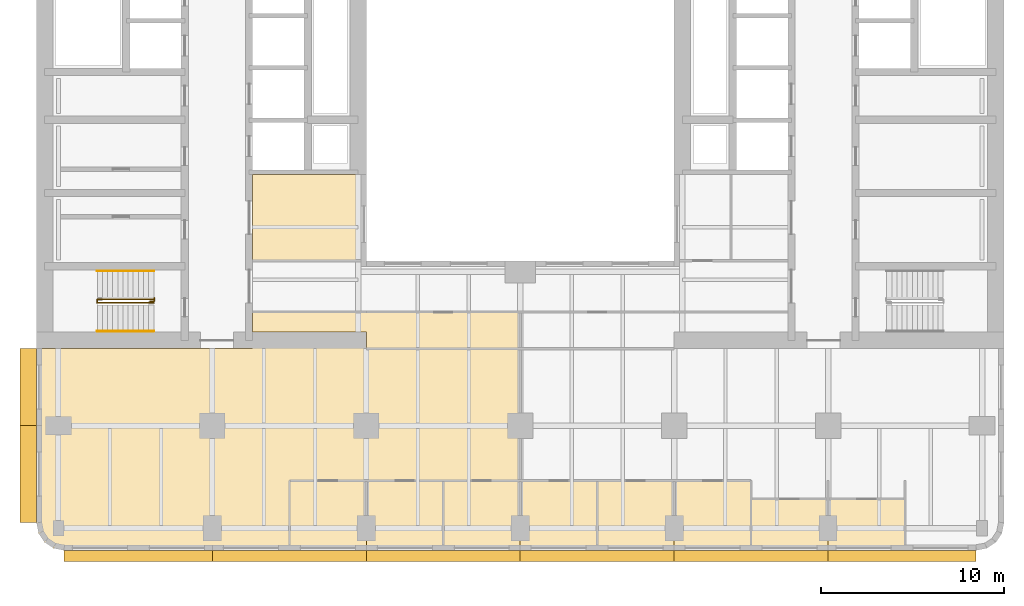
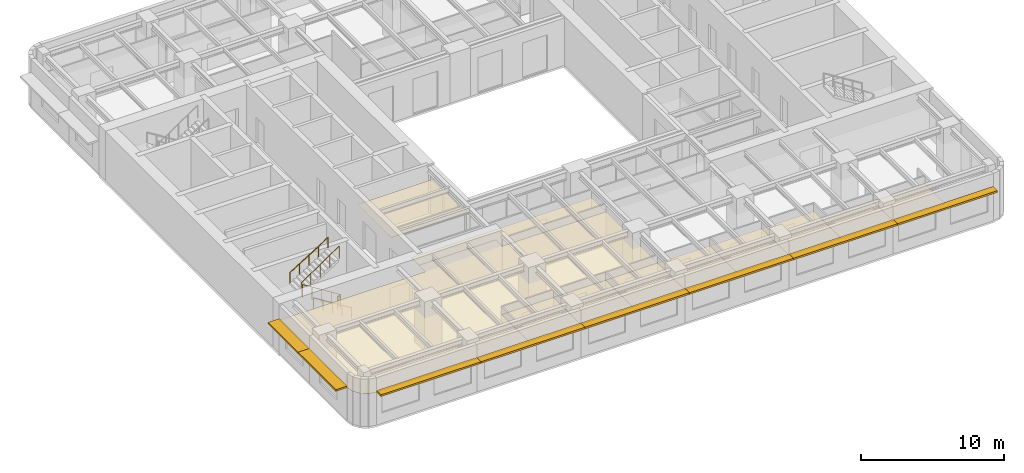
# One storey, part 9 of 11: 11 coverings, 8 shading devices, 4 railings.
"""IFC4 building model written with IfcOpenShell, lengths in metres."""

from ifc_helpers import new_model, si_unit, direction, frame, origin, origin_2d, place, context, subcontext, project, spatial, polyline, rectangle, circle, outline, extrude, material, layer, layer_set, type_object, element, save


model = new_model("IFC4")

# Units and contexts
model_context = context("Model", 3, precision=1e-05, world=origin(), true_north=direction((0.0, 1.0)))
body_context = subcontext(model_context, "Body", "Model", "MODEL_VIEW")
ifc_project = project(units=[si_unit("LENGTHUNIT", "METRE"), si_unit("AREAUNIT", "SQUARE_METRE"), si_unit("VOLUMEUNIT", "CUBIC_METRE"), si_unit("PLANEANGLEUNIT", "RADIAN"), si_unit("MASSUNIT", "GRAM", prefix="KILO")], contexts=[model_context])

# Site, building, storey
site_placement = place(None, origin())
site = spatial("IfcSite", under=ifc_project, at=site_placement, CompositionType="ELEMENT")
building_placement = place(site_placement, origin())
building = spatial("IfcBuilding", under=site, at=building_placement, Name="Claustro Exchange Tower", CompositionType="ELEMENT")
storey_placement = place(building_placement, frame((0.0, 0.0, 138.60009765625)))
storey = spatial("IfcBuildingStorey", under=building, at=storey_placement, Name="L31", CompositionType="ELEMENT", Elevation=138.60009765625)

# Coverings
ifc_material_1 = material(Name="Perforated metal ceiling tiles", Category="steel")
ifc_layer_1 = layer(ifc_material_1, 0.030029296875)
ifc_layer_set_1 = layer_set([ifc_layer_1], Name="Perforated metal ceiling tiles")
covering_type_1 = type_object("IfcCoveringType", Name="CL1 suspended metal ceiling", PredefinedType="CEILING", material=ifc_layer_set_1)
covering_1_placement = place(storey_placement, frame((0.0, 0.0, 2.7998046875)))
element("IfcCovering", 1, at=covering_1_placement, inside=storey, type_object=covering_type_1, Name="Ceiling CL1 L31-09", PredefinedType="CEILING", context=body_context, shape_type="SweptSolid", body=[
    extrude(outline(polyline([(-1.199951171875, 12.60009765625), (-1.199951171875, 3.10009765625), (-1.085693359375, 2.52587890625), (-0.7607421875, 2.039306640625), (-0.27392578125, 1.714111328125), (0.300048828125, 1.60009765625), (12.60009765625, 1.60009765625), (12.60009765625, 5.39990234375), (16.800048828125, 5.39990234375), (21.0, 5.39990234375), (25.199951171875, 5.39990234375), (25.199951171875, 12.60009765625), (16.800048828125, 12.60009765625), (16.800048828125, 13.5), (10.60009765625, 13.5), (10.60009765625, 12.60009765625), (-1.199951171875, 12.60009765625)])), origin(), (0.0, 0.0, 1.0), 0.030029296875),
])
ifc_material_2 = material(Name="Gypsum board ceiling", Category="gypsum board")
ifc_layer_2 = layer(ifc_material_2, 0.02490234375)
ifc_layer_set_2 = layer_set([ifc_layer_2], Name="Gypsum board ceiling")
covering_type_2 = type_object("IfcCoveringType", Name="CL2 plasterboard ceiling", PredefinedType="CEILING", material=ifc_layer_set_2)
covering_2_placement = place(storey_placement, frame((0.0, 0.0, 2.7998046875)))
element("IfcCovering", 2, at=covering_2_placement, inside=storey, type_object=covering_type_2, Name="Ceiling CL2 L31-01", PredefinedType="CEILING", context=body_context, shape_type="SweptSolid", body=[
    extrude(outline(polyline([(37.800048828125, 1.60009765625), (42.0, 1.60009765625), (42.0, 4.39990234375), (37.800048828125, 4.39990234375), (37.800048828125, 1.60009765625)])), origin(), (0.0, 0.0, 1.0), 0.025146484375),
])
covering_3_placement = place(storey_placement, frame((0.0, 0.0, 2.7998046875)))
element("IfcCovering", 3, at=covering_3_placement, inside=storey, type_object=covering_type_2, Name="Ceiling CL2 L31-02", PredefinedType="CEILING", context=body_context, shape_type="SweptSolid", body=[
    extrude(outline(polyline([(42.0, 1.60009765625), (46.199951171875, 1.60009765625), (46.199951171875, 4.39990234375), (42.0, 4.39990234375), (42.0, 1.60009765625)])), origin(), (0.0, 0.0, 1.0), 0.025146484375),
])
covering_4_placement = place(storey_placement, frame((0.0, 0.0, 2.7998046875)))
element("IfcCovering", 4, at=covering_4_placement, inside=storey, type_object=covering_type_2, Name="Ceiling CL2 L31-03", PredefinedType="CEILING", context=body_context, shape_type="SweptSolid", body=[
    extrude(outline(polyline([(12.60009765625, 1.60009765625), (16.800048828125, 1.60009765625), (16.800048828125, 5.39990234375), (12.60009765625, 5.39990234375), (12.60009765625, 1.60009765625)])), origin(), (0.0, 0.0, 1.0), 0.025146484375),
])
covering_5_placement = place(storey_placement, frame((0.0, 0.0, 2.7998046875)))
element("IfcCovering", 5, at=covering_5_placement, inside=storey, type_object=covering_type_2, Name="Ceiling CL2 L31-04", PredefinedType="CEILING", context=body_context, shape_type="SweptSolid", body=[
    extrude(outline(polyline([(16.800048828125, 1.60009765625), (21.0, 1.60009765625), (21.0, 5.39990234375), (16.800048828125, 5.39990234375), (16.800048828125, 1.60009765625)])), origin(), (0.0, 0.0, 1.0), 0.025146484375),
])
covering_6_placement = place(storey_placement, frame((0.0, 0.0, 2.7998046875)))
element("IfcCovering", 6, at=covering_6_placement, inside=storey, type_object=covering_type_2, Name="Ceiling CL2 L31-05", PredefinedType="CEILING", context=body_context, shape_type="SweptSolid", body=[
    extrude(outline(polyline([(21.0, 1.60009765625), (25.199951171875, 1.60009765625), (25.199951171875, 5.39990234375), (21.0, 5.39990234375), (21.0, 1.60009765625)])), origin(), (0.0, 0.0, 1.0), 0.025146484375),
])
covering_7_placement = place(storey_placement, frame((0.0, 0.0, 2.7998046875)))
element("IfcCovering", 7, at=covering_7_placement, inside=storey, type_object=covering_type_2, Name="Ceiling CL2 L31-06", PredefinedType="CEILING", context=body_context, shape_type="SweptSolid", body=[
    extrude(outline(polyline([(25.199951171875, 1.60009765625), (29.39990234375, 1.60009765625), (29.39990234375, 5.39990234375), (25.199951171875, 5.39990234375), (25.199951171875, 1.60009765625)])), origin(), (0.0, 0.0, 1.0), 0.025146484375),
])
covering_8_placement = place(storey_placement, frame((0.0, 0.0, 2.7998046875)))
element("IfcCovering", 8, at=covering_8_placement, inside=storey, type_object=covering_type_2, Name="Ceiling CL2 L31-07", PredefinedType="CEILING", context=body_context, shape_type="SweptSolid", body=[
    extrude(outline(polyline([(29.39990234375, 1.60009765625), (33.60009765625, 1.60009765625), (33.60009765625, 5.39990234375), (29.39990234375, 5.39990234375), (29.39990234375, 1.60009765625)])), origin(), (0.0, 0.0, 1.0), 0.025146484375),
])
covering_9_placement = place(storey_placement, frame((0.0, 0.0, 2.7998046875)))
element("IfcCovering", 9, at=covering_9_placement, inside=storey, type_object=covering_type_2, Name="Ceiling CL2 L31-08", PredefinedType="CEILING", context=body_context, shape_type="SweptSolid", body=[
    extrude(outline(polyline([(33.60009765625, 1.60009765625), (37.800048828125, 1.60009765625), (37.800048828125, 5.39990234375), (33.60009765625, 5.39990234375), (33.60009765625, 1.60009765625)])), origin(), (0.0, 0.0, 1.0), 0.025146484375),
])
covering_10_placement = place(storey_placement, frame((0.0, 0.0, 2.7998046875)))
element("IfcCovering", 10, at=covering_10_placement, inside=storey, type_object=covering_type_2, Name="Ceiling CL2 L31-11", PredefinedType="CEILING", context=body_context, shape_type="SweptSolid", body=[
    extrude(outline(polyline([(10.60009765625, 14.60009765625), (10.60009765625, 13.5), (16.800048828125, 13.5), (16.800048828125, 12.60009765625), (25.199951171875, 12.60009765625), (25.199951171875, 14.60009765625), (16.800048828125, 14.60009765625), (16.800048828125, 14.60009765625), (10.60009765625, 14.60009765625)])), origin(), (0.0, 0.0, 1.0), 0.025146484375),
])
covering_11_placement = place(storey_placement, frame((0.0, 0.0, 2.7998046875)))
element("IfcCovering", 11, at=covering_11_placement, inside=storey, type_object=covering_type_2, Name="Ceiling CL2 L31-14", PredefinedType="CEILING", context=body_context, shape_type="SweptSolid", body=[
    extrude(outline(polyline([(16.800048828125, 17.39990234375), (16.800048828125, 22.10009765625), (10.60009765625, 22.10009765625), (10.60009765625, 17.39990234375), (16.800048828125, 17.39990234375)])), origin(), (0.0, 0.0, 1.0), 0.025146484375),
])

# Railings
ifc_material_3 = material(Name="Steel balustrade, painted", Category="steel")
railing_type_1 = type_object("IfcRailingType", Name="GR2 1100 steel stair guard", PredefinedType="GUARDRAIL", material=ifc_material_3)
railing_1_placement = place(storey_placement, frame((5.199951171875, 15.10009765625, 0.1748046875)))
element("IfcRailing", 12, at=railing_1_placement, inside=storey, type_object=railing_type_1, Name="Stair well guard GR2 stair STWA L31", PredefinedType="GUARDRAIL", context=body_context, shape_type="SweptSolid", body=[
    extrude(circle(Radius=0.02392578125, at=origin_2d()), frame((0.0, 0.0, 1.076171875), z_axis=(-0.847979421464, 0.0, 0.530029150871), x_axis=(0.0, -1.0, 0.0)), (0.0, 0.0, 1.0), 3.632080078125),
    extrude(circle(Radius=0.02392578125, at=origin_2d()), frame((-3.079833984375, 0.0, 3.0009765625), z_axis=(0.0, 1.0, 0.0), x_axis=(-1.0, 0.0, 0.0)), (0.0, 0.0, 1.0), 0.199951171875),
    extrude(circle(Radius=0.02392578125, at=origin_2d()), frame((-3.079833984375, 0.199951171875, 3.0009765625), z_axis=(0.826201015165, 0.0, 0.563375436579), x_axis=(0.0, 1.0, 0.0)), (0.0, 0.0, 1.0), 3.727783203125),
    extrude(circle(Radius=0.02099609375, at=origin_2d()), origin(), (0.0, 0.0, 1.0), 1.052001953125),
    extrude(circle(Radius=0.02099609375, at=origin_2d()), frame((-0.77001953125, 0.0, 0.481201171875)), (0.0, 0.0, 1.0), 1.052001953125),
    extrude(circle(Radius=0.02099609375, at=origin_2d()), frame((-1.5400390625, 0.0, 0.96240234375)), (0.0, 0.0, 1.0), 1.052001953125),
    extrude(circle(Radius=0.02099609375, at=origin_2d()), frame((-2.309814453125, 0.0, 1.44384765625)), (0.0, 0.0, 1.0), 1.052001953125),
    extrude(circle(Radius=0.02099609375, at=origin_2d()), frame((-3.079833984375, 0.0, 1.925048828125)), (0.0, 0.0, 1.0), 1.052001953125),
    extrude(circle(Radius=0.02099609375, at=origin_2d()), frame((-3.079833984375, 0.199951171875, 1.925048828125)), (0.0, 0.0, 1.0), 1.052001953125),
    extrude(circle(Radius=0.02099609375, at=origin_2d()), frame((-2.309814453125, 0.199951171875, 2.4501953125)), (0.0, 0.0, 1.0), 1.052001953125),
    extrude(circle(Radius=0.02099609375, at=origin_2d()), frame((-1.5400390625, 0.199951171875, 2.97509765625)), (0.0, 0.0, 1.0), 1.052001953125),
    extrude(circle(Radius=0.02099609375, at=origin_2d()), frame((-0.77001953125, 0.199951171875, 3.5)), (0.0, 0.0, 1.0), 1.052001953125),
    extrude(circle(Radius=0.02099609375, at=origin_2d()), frame((0.0, 0.199951171875, 4.025146484375)), (0.0, 0.0, 1.0), 1.052001953125),
])
railing_2_placement = place(storey_placement, frame((5.0, 15.169921875, 0.0)))
element("IfcRailing", 13, at=railing_2_placement, inside=storey, type_object=railing_type_1, Name="Stair guard GR2 STWA L31", PredefinedType="GUARDRAIL", context=body_context, shape_type="SweptSolid", body=[
    extrude(circle(Radius=0.02392578125, at=origin_2d()), frame((0.0, 0.0, 1.076171875), z_axis=(0.0, 1.0, 0.0), x_axis=(-1.0, 0.0, 0.0)), (0.0, 0.0, 1.0), 0.030029296875),
    extrude(circle(Radius=0.02392578125, at=origin_2d()), frame((0.0, 0.030029296875, 1.076171875), z_axis=(1.0, 0.0, 0.0), x_axis=(0.0, 1.0, 0.0)), (0.0, 0.0, 1.0), 0.22509765625),
    extrude(circle(Radius=0.02392578125, at=origin_2d()), frame((0.22509765625, 0.030029296875, 1.076171875), z_axis=(0.0, 1.0, 0.0), x_axis=(-1.0, 0.0, 0.0)), (0.0, 0.0, 1.0), 0.179931640625),
    extrude(circle(Radius=0.02099609375, at=origin_2d()), origin(), (0.0, 0.0, 1.0), 1.052001953125),
    extrude(circle(Radius=0.02099609375, at=origin_2d()), frame((0.0, 0.030029296875, 0.0)), (0.0, 0.0, 1.0), 1.052001953125),
    extrude(circle(Radius=0.02099609375, at=origin_2d()), frame((0.22509765625, 0.030029296875, 0.0)), (0.0, 0.0, 1.0), 1.052001953125),
    extrude(circle(Radius=0.02099609375, at=origin_2d()), frame((0.22509765625, 0.2099609375, 0.0)), (0.0, 0.0, 1.0), 1.052001953125),
])
ifc_material_4 = material(Name="Stainless steel tube", Category="steel")
railing_type_2 = type_object("IfcRailingType", Name="HR1 900 stair handrail", PredefinedType="HANDRAIL", material=ifc_material_4)
railing_3_placement = place(storey_placement, frame((5.199951171875, 13.56005859375, 0.1748046875)))
element("IfcRailing", 14, at=railing_3_placement, inside=storey, type_object=railing_type_2, Name="Handrail HR1 stair STWA L31", PredefinedType="HANDRAIL", context=body_context, shape_type="SweptSolid", body=[
    extrude(circle(Radius=0.02392578125, at=origin_2d()), frame((0.0, 0.0, 0.8759765625), z_axis=(-0.847979421464, 0.0, 0.530029150871), x_axis=(0.0, -1.0, 0.0)), (0.0, 0.0, 1.0), 3.632080078125),
    extrude(circle(Radius=0.02099609375, at=origin_2d()), origin(), (0.0, 0.0, 1.0), 0.851806640625),
    extrude(circle(Radius=0.02099609375, at=origin_2d()), frame((-0.77001953125, 0.0, 0.481201171875)), (0.0, 0.0, 1.0), 0.851806640625),
    extrude(circle(Radius=0.02099609375, at=origin_2d()), frame((-1.5400390625, 0.0, 0.96240234375)), (0.0, 0.0, 1.0), 0.851806640625),
    extrude(circle(Radius=0.02099609375, at=origin_2d()), frame((-2.309814453125, 0.0, 1.44384765625)), (0.0, 0.0, 1.0), 0.851806640625),
    extrude(circle(Radius=0.02099609375, at=origin_2d()), frame((-3.079833984375, 0.0, 1.925048828125)), (0.0, 0.0, 1.0), 0.851806640625),
])
railing_4_placement = place(storey_placement, frame((2.1201171875, 16.840087890625, 2.27490234375)))
element("IfcRailing", 15, at=railing_4_placement, inside=storey, type_object=railing_type_2, Name="Handrail HR1 stair STWA L31", PredefinedType="HANDRAIL", context=body_context, shape_type="SweptSolid", body=[
    extrude(circle(Radius=0.02392578125, at=origin_2d()), frame((0.0, 0.0, 0.8759765625), z_axis=(0.847979421464, 0.0, 0.530029150871), x_axis=(0.0, 1.0, 0.0)), (0.0, 0.0, 1.0), 3.632080078125),
    extrude(circle(Radius=0.02099609375, at=origin_2d()), origin(), (0.0, 0.0, 1.0), 0.851806640625),
    extrude(circle(Radius=0.02099609375, at=origin_2d()), frame((0.77001953125, 0.0, 0.481201171875)), (0.0, 0.0, 1.0), 0.851806640625),
    extrude(circle(Radius=0.02099609375, at=origin_2d()), frame((1.5400390625, 0.0, 0.96240234375)), (0.0, 0.0, 1.0), 0.851806640625),
    extrude(circle(Radius=0.02099609375, at=origin_2d()), frame((2.309814453125, 0.0, 1.44384765625)), (0.0, 0.0, 1.0), 0.851806640625),
    extrude(circle(Radius=0.02099609375, at=origin_2d()), frame((3.079833984375, 0.0, 1.925048828125)), (0.0, 0.0, 1.0), 0.851806640625),
])

# Shading devices
ifc_material_5 = material(Name="Concrete HA-40 (C40/50), precast, white cement, acid-etched", Category="concrete")
ifc_layer_3 = layer(ifc_material_5, 0.14990234375)
ifc_layer_set_3 = layer_set([ifc_layer_3], Name="Concrete HA-40 (C40/50), precast, white cement, acid-etched")
shading_device_type_1 = type_object("IfcShadingDeviceType", Name="SS1 600 precast concrete SUNSHADE", PredefinedType="SHUTTER", material=ifc_layer_set_3)
shading_device_1_placement = place(storey_placement, frame((46.04248046875, 1.300048828125, 2.800048828125), z_axis=(0.0, 0.0, 1.0), x_axis=(-1.0, 0.0, 0.0)))
element("IfcShadingDevice", 16, at=shading_device_1_placement, inside=storey, type_object=shading_device_type_1, Name="Precast SUNSHADE SS1 L31", PredefinedType="SHUTTER", context=body_context, shape_type="SweptSolid", body=[
    extrude(rectangle(XDim=8.085205078125, YDim=0.60009765625, at=origin_2d()), origin(), (0.0, 0.0, 1.0), 0.14990234375),
])
for number, where, z_axis, x_axis, name in (
    (17, (37.800048828125, 1.300048828125, 2.800048828125), (0.0, 0.0, 1.0), (-1.0, 0.0, 0.0), "Precast SUNSHADE SS1 L31"),
    (18, (29.39990234375, 1.300048828125, 2.800048828125), (0.0, 0.0, 1.0), (-1.0, 0.0, 0.0), "Precast SUNSHADE SS1 L31"),
    (19, (21.0, 1.300048828125, 2.800048828125), (0.0, 0.0, 1.0), (-1.0, 0.0, 0.0), "Precast SUNSHADE SS1 L31"),
    (20, (12.60009765625, 1.300048828125, 2.800048828125), (0.0, 0.0, 1.0), (-1.0, 0.0, 0.0), "Precast SUNSHADE SS1 L31"),
):
    element("IfcShadingDevice", number, at=place(storey_placement, frame(where, z_axis=z_axis, x_axis=x_axis)), inside=storey, type_object=shading_device_type_1, Name=name, PredefinedType="SHUTTER", context=body_context, shape_type="SweptSolid", body=[
        extrude(rectangle(XDim=8.39990234375, YDim=0.60009765625, at=origin_2d()), origin(), (0.0, 0.0, 1.0), 0.14990234375),
    ])
shading_device_2_placement = place(storey_placement, frame((4.357421875, 1.300048828125, 2.800048828125), z_axis=(0.0, 0.0, 1.0), x_axis=(-1.0, 0.0, 0.0)))
element("IfcShadingDevice", 21, at=shading_device_2_placement, inside=storey, type_object=shading_device_type_1, Name="Precast SUNSHADE SS1 L31", PredefinedType="SHUTTER", context=body_context, shape_type="SweptSolid", body=[
    extrude(rectangle(XDim=8.085205078125, YDim=0.60009765625, at=origin_2d()), origin(), (0.0, 0.0, 1.0), 0.14990234375),
])
ifc_material_6 = material(Name="Concrete HA-40 (C40/50), precast, white cement, acid-etched", Category="concrete")
ifc_layer_4 = layer(ifc_material_6, 0.14990234375)
ifc_layer_set_4 = layer_set([ifc_layer_4], Name="Concrete HA-40 (C40/50), precast, white cement, acid-etched")
shading_device_type_2 = type_object("IfcShadingDeviceType", Name="SS2 900 precast concrete SUNSHADE", PredefinedType="SHUTTER", material=ifc_layer_set_4)
shading_device_3_placement = place(storey_placement, frame((-1.64990234375, 5.75732421875, 2.800048828125), z_axis=(0.0, 0.0, 1.0), x_axis=(0.0, 1.0, 0.0)))
element("IfcShadingDevice", 22, at=shading_device_3_placement, inside=storey, type_object=shading_device_type_2, Name="Precast SUNSHADE SS2 L31", PredefinedType="SHUTTER", context=body_context, shape_type="SweptSolid", body=[
    extrude(rectangle(XDim=5.28515625, YDim=0.89990234375, at=origin_2d()), origin(), (0.0, 0.0, 1.0), 0.14990234375),
])
shading_device_4_placement = place(storey_placement, frame((-1.64990234375, 10.5, 2.800048828125), z_axis=(0.0, 0.0, 1.0), x_axis=(0.0, 1.0, 0.0)))
element("IfcShadingDevice", 23, at=shading_device_4_placement, inside=storey, type_object=shading_device_type_2, Name="Precast SUNSHADE SS2 L31", PredefinedType="SHUTTER", context=body_context, shape_type="SweptSolid", body=[
    extrude(rectangle(XDim=4.199951171875, YDim=0.89990234375, at=origin_2d()), origin(), (0.0, 0.0, 1.0), 0.14990234375),
])

save(model, "model.ifc")
